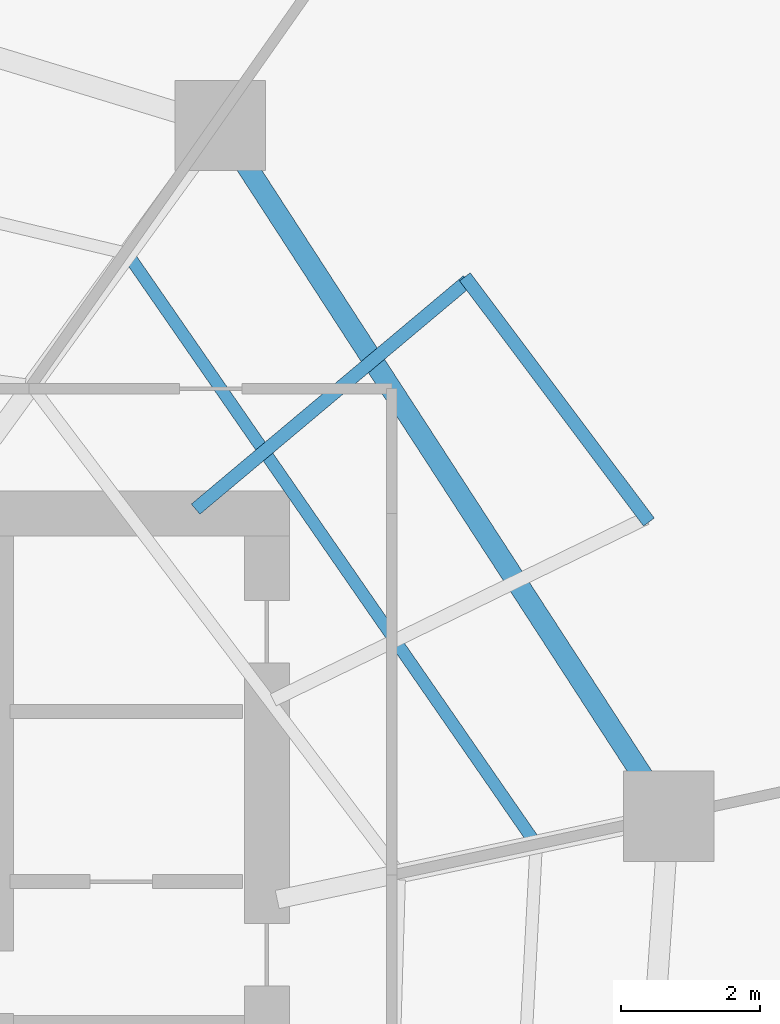
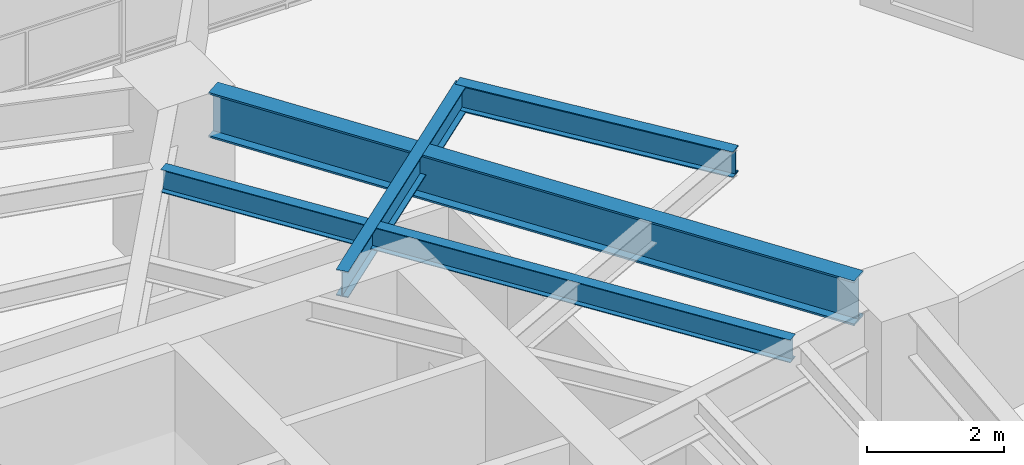
# One storey, part 22 of 31: 4 beams.
"""IFC4 building model written with IfcOpenShell, lengths in metres."""

from ifc_helpers import new_model, si_unit, direction, frame, origin, origin_2d, place, context, subcontext, project, spatial, i_section, extrude, material, material_profile, profile_set, type_object, element, save


model = new_model("IFC4")

# Units and contexts
model_context = context("Model", 3, precision=1e-05, world=origin(), true_north=direction((0.0, 1.0)))
body_context = subcontext(model_context, "Body", "Model", "MODEL_VIEW")
ifc_project = project(units=[si_unit("LENGTHUNIT", "METRE"), si_unit("AREAUNIT", "SQUARE_METRE"), si_unit("VOLUMEUNIT", "CUBIC_METRE"), si_unit("PLANEANGLEUNIT", "RADIAN"), si_unit("MASSUNIT", "GRAM", prefix="KILO")], contexts=[model_context])

# Site, building, storey
site_placement = place(None, origin())
site = spatial("IfcSite", under=ifc_project, at=site_placement, CompositionType="ELEMENT")
building_placement = place(site_placement, origin())
building = spatial("IfcBuilding", under=site, at=building_placement, Name="Qarnah Convention Tower", CompositionType="ELEMENT")
storey_placement = place(building_placement, frame((0.0, 0.0, 64.949951171875)))
storey = spatial("IfcBuildingStorey", under=building, at=storey_placement, Name="L16", CompositionType="ELEMENT", Elevation=64.949951171875)

# Beams
ifc_material = material(Name="Structural steel S355JR", Category="steel")
ifc_material_profile_1 = material_profile(ifc_material, i_section(OverallWidth=0.19189453125, OverallDepth=0.464111328125, WebThickness=0.010986328125, FlangeThickness=0.01806640625, at=origin_2d()), Name="W460X89")
ifc_profile_set_1 = profile_set([ifc_material_profile_1], Name="Structural steel S355JR")
beam_type_1 = type_object("IfcBeamType", Name="BM-CANT-W460A", PredefinedType="BEAM", material=ifc_profile_set_1)
beam_1_placement = place(storey_placement, frame((46.572021484375, 34.263916015625, 2.93798828125), z_axis=(0.765964185984, 0.64288324429, 0.0), x_axis=(-0.64288324429, 0.765964185984, 0.0)))
element("IfcBeam", 1, at=beam_1_placement, inside=storey, type_object=beam_type_1, Name="L16 beam BM-L16-CNT-01-2", PredefinedType="BEAM", context=body_context, shape_type="SweptSolid", body=[
    extrude(i_section(OverallWidth=0.19189453125, OverallDepth=0.464111328125, WebThickness=0.010986328125, FlangeThickness=0.01806640625, at=origin_2d()), origin(), (0.0, 0.0, 1.0), 5.11767578125),
])
beam_2_placement = place(storey_placement, frame((53.10107421875, 34.077880859375, 2.93798828125), z_axis=(-0.600282994859, 0.799787675626, 0.0), x_axis=(-0.799787675626, -0.600282994859, 0.0)))
element("IfcBeam", 2, at=beam_2_placement, inside=storey, type_object=beam_type_1, Name="L16 spandrel BM-L16-CTIE-01", PredefinedType="SPANDREL", context=body_context, shape_type="SweptSolid", body=[
    extrude(i_section(OverallWidth=0.19189453125, OverallDepth=0.464111328125, WebThickness=0.010986328125, FlangeThickness=0.01806640625, at=origin_2d()), origin(), (0.0, 0.0, 1.0), 4.41650390625),
])
ifc_material_profile_2 = material_profile(ifc_material, i_section(OverallWidth=0.177978515625, OverallDepth=0.407958984375, WebThickness=0.008056640625, FlangeThickness=0.012939453125, at=origin_2d()), Name="W410X60")
ifc_profile_set_2 = profile_set([ifc_material_profile_2], Name="Structural steel S355JR")
beam_type_2 = type_object("IfcBeamType", Name="BM-JST-W410", PredefinedType="JOIST", material=ifc_profile_set_2)
beam_3_placement = place(storey_placement, frame((51.427001953125, 29.509033203125, 2.966064453125), z_axis=(-0.569141318833, 0.822239721248, 0.0), x_axis=(-0.822239721248, -0.569141318833, 0.0)))
element("IfcBeam", 3, at=beam_3_placement, inside=storey, type_object=beam_type_2, Name="L16 joist BM-L16-SJST-01", PredefinedType="JOIST", context=body_context, shape_type="SweptSolid", body=[
    extrude(i_section(OverallWidth=0.177978515625, OverallDepth=0.407958984375, WebThickness=0.008056640625, FlangeThickness=0.012939453125, at=origin_2d()), origin(), (0.0, 0.0, 1.0), 10.169921875),
])
ifc_material_profile_3 = material_profile(ifc_material, i_section(OverallWidth=0.300048828125, OverallDepth=0.800048828125, WebThickness=0.01806640625, FlangeThickness=0.032958984375, at=origin_2d()), Name="HEB800")
ifc_profile_set_3 = profile_set([ifc_material_profile_3], Name="Structural steel S355JR")
beam_type_3 = type_object("IfcBeamType", Name="BM-RING-HEB800", PredefinedType="BEAM", material=ifc_profile_set_3)
beam_4_placement = place(storey_placement, frame((53.0390625, 30.3779296875, 2.77001953125), z_axis=(-0.544579515688, 0.838709217246, 0.0), x_axis=(-0.838709217246, -0.544579515688, 0.0)))
element("IfcBeam", 4, at=beam_4_placement, inside=storey, type_object=beam_type_3, Name="L16 beam BM-L16-SPN-01", PredefinedType="BEAM", context=body_context, shape_type="SweptSolid", body=[
    extrude(i_section(OverallWidth=0.300048828125, OverallDepth=0.800048828125, WebThickness=0.01806640625, FlangeThickness=0.032958984375, at=origin_2d()), origin(), (0.0, 0.0, 1.0), 10.58056640625),
])

save(model, "model.ifc")
